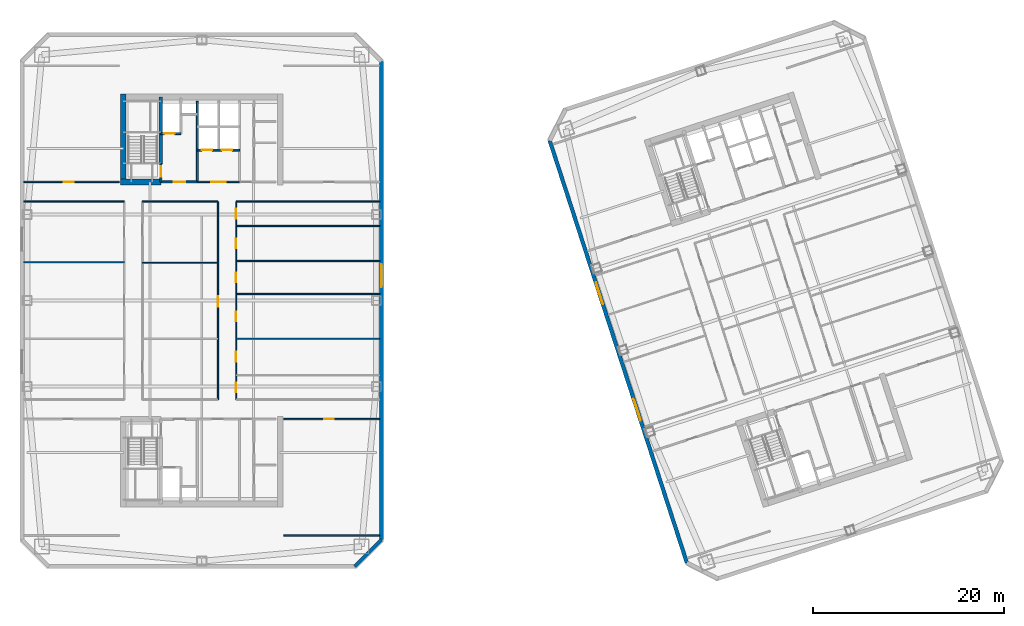
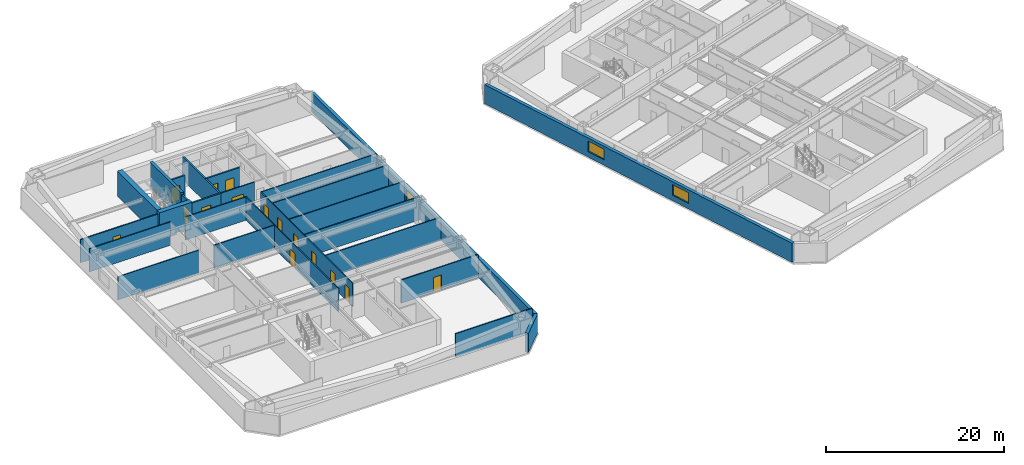
# One storey, part 4 of 11: 26 walls, 15 doors, 3 windows, 18 openings.
"""IFC4 building model written with IfcOpenShell, lengths in metres."""

from ifc_helpers import new_model, si_unit, direction, frame, frame_2d, origin, place, context, subcontext, project, spatial, rectangle, extrude, material, layer, layer_set, type_object, element, fill, save


model = new_model("IFC4")

# Units and contexts
model_context = context("Model", 3, precision=1e-05, world=origin(), true_north=direction((0.0, 1.0)))
body_context = subcontext(model_context, "Body", "Model", "MODEL_VIEW")
ifc_project = project(units=[si_unit("LENGTHUNIT", "METRE"), si_unit("AREAUNIT", "SQUARE_METRE"), si_unit("VOLUMEUNIT", "CUBIC_METRE"), si_unit("PLANEANGLEUNIT", "RADIAN"), si_unit("MASSUNIT", "GRAM", prefix="KILO")], contexts=[model_context])

# Site, building, storey
site_placement = place(None, origin())
site = spatial("IfcSite", under=ifc_project, at=site_placement, CompositionType="ELEMENT")
building_placement = place(site_placement, origin())
building = spatial("IfcBuilding", under=site, at=building_placement, Name="Qiaolan Cultural Towers", CompositionType="ELEMENT")
storey_placement = place(building_placement, frame((0.0, 0.0, 117.300048828125)))
storey = spatial("IfcBuildingStorey", under=building, at=storey_placement, Name="L30", CompositionType="ELEMENT", Elevation=117.300048828125)

# Walls
ifc_material_1 = material(Name="Concrete C50", Category="concrete")
ifc_layer_1 = layer(ifc_material_1, 0.35009765625)
ifc_layer_set_1 = layer_set([ifc_layer_1], Name="Concrete C50")
wall_type_1 = type_object("IfcWallType", Name="WL-CORE-350", PredefinedType="SHEAR", material=ifc_layer_set_1)
wall_1_placement = place(storey_placement, frame((25.719970703125, 48.300048828125, 0.0), z_axis=(0.0, 0.0, 1.0), x_axis=(0.0, 1.0, 0.0)))
element("IfcWall", 1, at=wall_1_placement, inside=storey, type_object=wall_type_1, Name="L30 T1-CN Stair Core Dividing Web", PredefinedType="SHEAR", context=body_context, shape_type="SweptSolid", body=[
    extrude(rectangle(XDim=6.97998046875, YDim=0.35009765625, at=frame_2d((3.489990234375, 0.0))), origin(), (0.0, 0.0, 1.0), 3.449951171875),
])
ifc_material_2 = material(Name="Concrete C55", Category="concrete")
ifc_layer_2 = layer(ifc_material_2, 0.60009765625)
ifc_layer_set_2 = layer_set([ifc_layer_2], Name="Concrete C55")
wall_type_2 = type_object("IfcWallType", Name="WL-CORE-600", PredefinedType="SHEAR", material=ifc_layer_set_2)
wall_2_placement = place(storey_placement, frame((21.800048828125, 46.10009765625, 0.0), z_axis=(0.0, 0.0, 1.0), x_axis=(0.0, 1.0, 0.0)))
element("IfcWall", 2, at=wall_2_placement, inside=storey, type_object=wall_type_2, Name="L30 T1-CN West Core Shear Wall", PredefinedType="SHEAR", context=body_context, shape_type="SweptSolid", body=[
    extrude(rectangle(XDim=9.47998046875, YDim=0.60009765625, at=frame_2d((4.739990234375, 0.0))), origin(), (0.0, 0.0, 1.0), 3.449951171875),
])
wall_3_placement = place(storey_placement, frame((21.5, 46.39990234375, 0.0), z_axis=(0.0, 0.0, 1.0), x_axis=(1.0, 0.0, 0.0)))
element("IfcWall", 3, at=wall_3_placement, inside=storey, type_object=wall_type_2, Name="L30 T1-CN Stair Front Shear Wall", PredefinedType="SHEAR", context=body_context, shape_type="SweptSolid", body=[
    extrude(rectangle(XDim=4.219970703125, YDim=0.60009765625, at=frame_2d((2.10986328125, 0.0))), origin(), (0.0, 0.0, 1.0), 3.449951171875),
])

# Wall, opening, window
ifc_material_3 = material(Name="Precast Concrete C50 Honed Stone Pier", Category="masonry")
ifc_layer_3 = layer(ifc_material_3, 0.39990234375)
ifc_layer_set_3 = layer_set([ifc_layer_3], Name="Precast Concrete C50 Honed Stone Pier")
wall_type_3 = type_object("IfcWallType", Name="WL-EXT-PIER-400", PredefinedType="SOLIDWALL", material=ifc_layer_set_3)
wall_4_placement = place(storey_placement, frame((48.800048828125, 59.0, 0.0), z_axis=(0.0, 0.0, 1.0), x_axis=(0.0, -1.0, 0.0)))
wall_4 = element("IfcWall", 4, at=wall_4_placement, inside=storey, type_object=wall_type_3, Name="L30 West Tower Precast Pier Facade Wall F5", PredefinedType="SOLIDWALL", context=body_context, shape_type="SweptSolid", body=[
    extrude(rectangle(XDim=50.0, YDim=0.39990234375, at=frame_2d((25.0, 0.0))), origin(), (0.0, 0.0, 1.0), 2.60986328125),
])
opening_1_placement = place(wall_4_placement, frame((21.199951171875, 0.0, 0.75)))
opening_1 = element("IfcOpeningElement", 5, at=opening_1_placement, cuts=wall_4, Name="Opening W-02", PredefinedType="OPENING", context=body_context, shape_type="SweptSolid", body=[
    extrude(rectangle(XDim=2.39990234375, YDim=1.4599609375, at=frame_2d((1.199951171875, 0.72998046875))), frame((0.0, 0.2099609375, 0.0), z_axis=(0.0, -1.0, 0.0), x_axis=(1.0, 0.0, 0.0)), (0.0, 0.0, 1.0), 0.419921875),
])
ifc_material_4 = material(Name="Thermally Broken Aluminium Triple Low-E Glazing", Category="aluminium")
window_type = type_object("IfcWindowType", Name="WN-CHIC-2400", PartitioningType="SINGLE_PANEL", PredefinedType="WINDOW", material=ifc_material_4)
window_1_placement = place(opening_1_placement, origin())
window_1 = element("IfcWindow", 6, at=window_1_placement, inside=storey, type_object=window_type, Name="L30 T1 E Chicago Bay Window 1", OverallHeight=1.4599609375, OverallWidth=2.39990234375, PartitioningType="TRIPLE_PANEL_VERTICAL", PredefinedType="WINDOW", context=body_context, shape_type="SweptSolid", body=[
    extrude(rectangle(XDim=2.39990234375, YDim=1.4599609375, at=frame_2d((1.199951171875, 0.72998046875))), frame((0.0, 0.030029296875, 0.0), z_axis=(0.0, -1.0, 0.0), x_axis=(1.0, 0.0, 0.0)), (0.0, 0.0, 1.0), 0.06005859375),
])
fill(opening_1, window_1)

# Wall
wall_5_placement = place(storey_placement, frame((48.800048828125, 9.0, 0.0), z_axis=(0.0, 0.0, 1.0), x_axis=(-0.707106781187, -0.707106781187, 0.0)))
element("IfcWall", 7, at=wall_5_placement, inside=storey, type_object=wall_type_3, Name="L30 West Tower Precast Pier Facade Wall F6", PredefinedType="SOLIDWALL", context=body_context, shape_type="SweptSolid", body=[
    extrude(rectangle(XDim=3.9599609375, YDim=0.39990234375, at=frame_2d((1.97998046875, 0.0))), origin(), (0.0, 0.0, 1.0), 2.60986328125),
])

# Wall, openings, windows
wall_6_placement = place(storey_placement, frame((80.7158203125, 6.589599609375, 0.0), z_axis=(0.0, 0.0, 1.0), x_axis=(-0.309017542002, 0.95105633836, 0.0)))
wall_6 = element("IfcWall", 8, at=wall_6_placement, inside=storey, type_object=wall_type_3, Name="L30 East Tower Precast Pier Facade Wall F1", PredefinedType="SOLIDWALL", context=body_context, shape_type="SweptSolid", body=[
    extrude(rectangle(XDim=46.39990234375, YDim=0.39990234375, at=frame_2d((23.199951171875, 0.0))), origin(), (0.0, 0.0, 1.0), 2.60986328125),
])
opening_2_placement = place(wall_6_placement, frame((15.60009765625, 0.0, 0.75)))
opening_2 = element("IfcOpeningElement", 9, at=opening_2_placement, cuts=wall_6, Name="Opening W-02", PredefinedType="OPENING", context=body_context, shape_type="SweptSolid", body=[
    extrude(rectangle(XDim=2.39990234375, YDim=1.4599609375, at=frame_2d((1.199951171875, 0.72998046875))), frame((0.0, 0.2099609375, 0.0), z_axis=(0.0, -1.0, 0.0), x_axis=(1.0, 0.0, 0.0)), (0.0, 0.0, 1.0), 0.419921875),
])
opening_3_placement = place(wall_6_placement, frame((28.39990234375, 0.0, 0.75)))
opening_3 = element("IfcOpeningElement", 10, at=opening_3_placement, cuts=wall_6, Name="Opening W-02", PredefinedType="OPENING", context=body_context, shape_type="SweptSolid", body=[
    extrude(rectangle(XDim=2.39990234375, YDim=1.4599609375, at=frame_2d((1.199951171875, 0.72998046875))), frame((0.0, 0.2099609375, 0.0), z_axis=(0.0, -1.0, 0.0), x_axis=(1.0, 0.0, 0.0)), (0.0, 0.0, 1.0), 0.419921875),
])
window_2_placement = place(opening_2_placement, origin())
window_2 = element("IfcWindow", 11, at=window_2_placement, inside=storey, type_object=window_type, Name="L30 T2 W Chicago Bay Window 1", OverallHeight=1.4599609375, OverallWidth=2.39990234375, PartitioningType="TRIPLE_PANEL_VERTICAL", PredefinedType="WINDOW", context=body_context, shape_type="SweptSolid", body=[
    extrude(rectangle(XDim=2.39990234375, YDim=1.4599609375, at=frame_2d((1.199951171875, 0.72998046875))), frame((0.0, 0.030029296875, 0.0), z_axis=(0.0, -1.0, 0.0), x_axis=(1.0, 0.0, 0.0)), (0.0, 0.0, 1.0), 0.06005859375),
])
fill(opening_2, window_2)
window_3_placement = place(opening_3_placement, origin())
window_3 = element("IfcWindow", 12, at=window_3_placement, inside=storey, type_object=window_type, Name="L30 T2 W Chicago Bay Window 2", OverallHeight=1.4599609375, OverallWidth=2.39990234375, PartitioningType="TRIPLE_PANEL_VERTICAL", PredefinedType="WINDOW", context=body_context, shape_type="SweptSolid", body=[
    extrude(rectangle(XDim=2.39990234375, YDim=1.4599609375, at=frame_2d((1.199951171875, 0.72998046875))), frame((0.0, 0.030029296875, 0.0), z_axis=(0.0, -1.0, 0.0), x_axis=(1.0, 0.0, 0.0)), (0.0, 0.0, 1.0), 0.06005859375),
])
fill(opening_3, window_3)

# Wall, opening, door
ifc_material_5 = material(Name="Concrete C35 Fire Wall", Category="concrete")
ifc_layer_4 = layer(ifc_material_5, 0.199951171875)
ifc_layer_set_4 = layer_set([ifc_layer_4], Name="Concrete C35 Fire Wall")
wall_type_4 = type_object("IfcWallType", Name="WL-FIRE-200", PredefinedType="PARTITIONING", material=ifc_layer_set_4)
wall_7_placement = place(storey_placement, frame((25.719970703125, 46.39990234375, 0.0), z_axis=(0.0, 0.0, 1.0), x_axis=(0.0, 1.0, 0.0)))
wall_7 = element("IfcWall", 13, at=wall_7_placement, inside=storey, type_object=wall_type_4, Name="L30 T1-CN Smokeproof Stair Entry Wall", PredefinedType="PARTITIONING", context=body_context, shape_type="SweptSolid", body=[
    extrude(rectangle(XDim=1.900146484375, YDim=0.199951171875, at=frame_2d((0.9501953125, 0.0))), origin(), (0.0, 0.0, 1.0), 3.175048828125),
])
opening_4_placement = place(wall_7_placement, frame((0.52001953125, 0.0, 0.0)))
opening_4 = element("IfcOpeningElement", 14, at=opening_4_placement, cuts=wall_7, Name="Opening FD-04", PredefinedType="OPENING", context=body_context, shape_type="SweptSolid", body=[
    extrude(rectangle(XDim=1.10009765625, YDim=2.050048828125, at=frame_2d((0.550048828125, 1.02490234375))), frame((0.0, 0.10986328125, 0.0), z_axis=(0.0, -1.0, 0.0), x_axis=(1.0, 0.0, 0.0)), (0.0, 0.0, 1.0), 0.219970703125),
])
ifc_material_6 = material(Name="Galvanized Steel Command Fire Door", Category="steel")
door_type_1 = type_object("IfcDoorType", Name="DR-FD90-1100", OperationType="NOTDEFINED", PredefinedType="DOOR", material=ifc_material_6)
door_1_placement = place(opening_4_placement, origin())
door_1 = element("IfcDoor", 15, at=door_1_placement, inside=storey, type_object=door_type_1, Name="L30 ST-W2 Smokeproof Stair Fire Door", OperationType="SINGLE_SWING_LEFT", OverallHeight=2.050048828125, OverallWidth=1.10009765625, PredefinedType="DOOR", context=body_context, shape_type="SweptSolid", body=[
    extrude(rectangle(XDim=1.10009765625, YDim=2.050048828125, at=frame_2d((0.550048828125, 1.02490234375))), frame((0.0, 0.02490234375, 0.0), z_axis=(0.0, -1.0, 0.0), x_axis=(1.0, 0.0, 0.0)), (0.0, 0.0, 1.0), 0.050048828125),
])
fill(opening_4, door_1)

# Wall
wall_8_placement = place(storey_placement, frame((29.550048828125, 46.39990234375, 0.0), z_axis=(0.0, 0.0, 1.0), x_axis=(0.0, 1.0, 0.0)))
element("IfcWall", 16, at=wall_8_placement, inside=storey, type_object=wall_type_4, Name="L30 T1-CN Firefighting Zone Wall", PredefinedType="PARTITIONING", context=body_context, shape_type="SweptSolid", body=[
    extrude(rectangle(XDim=8.43017578125, YDim=0.199951171875, at=frame_2d((4.215087890625, 0.0))), origin(), (0.0, 0.0, 1.0), 3.175048828125),
])

# Wall, opening, door
wall_9_placement = place(storey_placement, frame((25.719970703125, 46.39990234375, 0.0), z_axis=(0.0, 0.0, 1.0), x_axis=(1.0, 0.0, 0.0)))
wall_9 = element("IfcWall", 17, at=wall_9_placement, inside=storey, type_object=wall_type_4, Name="L30 T1-CN Firefighting Lobby Front Wall", PredefinedType="PARTITIONING", context=body_context, shape_type="SweptSolid", body=[
    extrude(rectangle(XDim=3.830078125, YDim=0.199951171875, at=frame_2d((1.9150390625, 0.0))), origin(), (0.0, 0.0, 1.0), 3.175048828125),
])
opening_5_placement = place(wall_9_placement, frame((1.35009765625, 0.0, 0.0)))
opening_5 = element("IfcOpeningElement", 18, at=opening_5_placement, cuts=wall_9, Name="Opening FD-03", PredefinedType="OPENING", context=body_context, shape_type="SweptSolid", body=[
    extrude(rectangle(XDim=1.199951171875, YDim=2.050048828125, at=frame_2d((0.60009765625, 1.02490234375))), frame((0.0, 0.10986328125, 0.0), z_axis=(0.0, -1.0, 0.0), x_axis=(1.0, 0.0, 0.0)), (0.0, 0.0, 1.0), 0.219970703125),
])
ifc_material_7 = material(Name="Galvanized Steel Smokeproof Lobby Fire Door", Category="steel")
door_type_2 = type_object("IfcDoorType", Name="DR-FD90-1200", OperationType="NOTDEFINED", PredefinedType="DOOR", material=ifc_material_7)
door_2_placement = place(opening_5_placement, origin())
door_2 = element("IfcDoor", 19, at=door_2_placement, inside=storey, type_object=door_type_2, Name="L30 FFL-W2 Firefighting Lobby Fire Door", OperationType="SINGLE_SWING_LEFT", OverallHeight=2.050048828125, OverallWidth=1.199951171875, PredefinedType="DOOR", context=body_context, shape_type="SweptSolid", body=[
    extrude(rectangle(XDim=1.199951171875, YDim=2.050048828125, at=frame_2d((0.60009765625, 1.02490234375))), frame((0.0, 0.02490234375, 0.0), z_axis=(0.0, -1.0, 0.0), x_axis=(1.0, 0.0, 0.0)), (0.0, 0.0, 1.0), 0.050048828125),
])
fill(opening_5, door_2)

wall_10_placement = place(storey_placement, frame((25.719970703125, 51.449951171875, 0.0), z_axis=(0.0, 0.0, 1.0), x_axis=(1.0, 0.0, 0.0)))
wall_10 = element("IfcWall", 20, at=wall_10_placement, inside=storey, type_object=wall_type_4, Name="L30 T1-CN Firefighting Shaft Front Wall", PredefinedType="PARTITIONING", context=body_context, shape_type="SweptSolid", body=[
    extrude(rectangle(XDim=2.10009765625, YDim=0.199951171875, at=frame_2d((1.050048828125, 0.0))), origin(), (0.0, 0.0, 1.0), 3.175048828125),
])
opening_6_placement = place(wall_10_placement, frame((0.35009765625, 0.0, 0.0)))
opening_6 = element("IfcOpeningElement", 21, at=opening_6_placement, cuts=wall_10, Name="Opening LD-01", PredefinedType="OPENING", context=body_context, shape_type="SweptSolid", body=[
    extrude(rectangle(XDim=1.10009765625, YDim=2.050048828125, at=frame_2d((0.550048828125, 1.02490234375))), frame((0.0, 0.10986328125, 0.0), z_axis=(0.0, -1.0, 0.0), x_axis=(1.0, 0.0, 0.0)), (0.0, 0.0, 1.0), 0.219970703125),
])
ifc_material_8 = material(Name="Brushed Stainless Steel S30408 Centre-Parting Lift Landing Door", Category="steel")
door_type_3 = type_object("IfcDoorType", Name="DR-LIFT-1100", OperationType="NOTDEFINED", PredefinedType="DOOR", material=ifc_material_8)
door_3_placement = place(opening_6_placement, origin())
door_3 = element("IfcDoor", 22, at=door_3_placement, inside=storey, type_object=door_type_3, Name="L30 FFL-W2 Firefighting Lift Landing Door", OperationType="DOUBLE_DOOR_SLIDING", OverallHeight=2.050048828125, OverallWidth=1.10009765625, PredefinedType="DOOR", context=body_context, shape_type="SweptSolid", body=[
    extrude(rectangle(XDim=1.10009765625, YDim=2.050048828125, at=frame_2d((0.550048828125, 1.02490234375))), frame((0.0, 0.02490234375, 0.0), z_axis=(0.0, -1.0, 0.0), x_axis=(1.0, 0.0, 0.0)), (0.0, 0.0, 1.0), 0.050048828125),
])
fill(opening_6, door_3)

# Wall, openings, doors
wall_11_placement = place(storey_placement, frame((29.550048828125, 49.719970703125, 0.0), z_axis=(0.0, 0.0, 1.0), x_axis=(1.0, 0.0, 0.0)))
wall_11 = element("IfcWall", 23, at=wall_11_placement, inside=storey, type_object=wall_type_4, Name="L30 T1-CN Passenger Lift Shaft Front Wall", PredefinedType="PARTITIONING", context=body_context, shape_type="SweptSolid", body=[
    extrude(rectangle(XDim=4.39990234375, YDim=0.199951171875, at=frame_2d((2.199951171875, 0.0))), origin(), (0.0, 0.0, 1.0), 3.175048828125),
])
opening_7_placement = place(wall_11_placement, frame((0.449951171875, 0.0, 0.0)))
opening_7 = element("IfcOpeningElement", 24, at=opening_7_placement, cuts=wall_11, Name="Opening LD-01", PredefinedType="OPENING", context=body_context, shape_type="SweptSolid", body=[
    extrude(rectangle(XDim=1.10009765625, YDim=2.050048828125, at=frame_2d((0.550048828125, 1.02490234375))), frame((0.0, 0.10986328125, 0.0), z_axis=(0.0, -1.0, 0.0), x_axis=(1.0, 0.0, 0.0)), (0.0, 0.0, 1.0), 0.219970703125),
])
opening_8_placement = place(wall_11_placement, frame((2.550048828125, 0.0, 0.0)))
opening_8 = element("IfcOpeningElement", 25, at=opening_8_placement, cuts=wall_11, Name="Opening LD-01", PredefinedType="OPENING", context=body_context, shape_type="SweptSolid", body=[
    extrude(rectangle(XDim=1.10009765625, YDim=2.050048828125, at=frame_2d((0.550048828125, 1.02490234375))), frame((0.0, 0.10986328125, 0.0), z_axis=(0.0, -1.0, 0.0), x_axis=(1.0, 0.0, 0.0)), (0.0, 0.0, 1.0), 0.219970703125),
])
door_4_placement = place(opening_7_placement, origin())
door_4 = element("IfcDoor", 26, at=door_4_placement, inside=storey, type_object=door_type_3, Name="L30 Passenger Lift 1 Landing Door", OperationType="DOUBLE_DOOR_SLIDING", OverallHeight=2.050048828125, OverallWidth=1.10009765625, PredefinedType="DOOR", context=body_context, shape_type="SweptSolid", body=[
    extrude(rectangle(XDim=1.10009765625, YDim=2.050048828125, at=frame_2d((0.550048828125, 1.02490234375))), frame((0.0, 0.02490234375, 0.0), z_axis=(0.0, -1.0, 0.0), x_axis=(1.0, 0.0, 0.0)), (0.0, 0.0, 1.0), 0.050048828125),
])
fill(opening_7, door_4)
door_5_placement = place(opening_8_placement, origin())
door_5 = element("IfcDoor", 27, at=door_5_placement, inside=storey, type_object=door_type_3, Name="L30 Passenger Lift 2 Landing Door", OperationType="DOUBLE_DOOR_SLIDING", OverallHeight=2.050048828125, OverallWidth=1.10009765625, PredefinedType="DOOR", context=body_context, shape_type="SweptSolid", body=[
    extrude(rectangle(XDim=1.10009765625, YDim=2.050048828125, at=frame_2d((0.550048828125, 1.02490234375))), frame((0.0, 0.02490234375, 0.0), z_axis=(0.0, -1.0, 0.0), x_axis=(1.0, 0.0, 0.0)), (0.0, 0.0, 1.0), 0.050048828125),
])
fill(opening_8, door_5)

# Walls
ifc_material_9 = material(Name="Gypsum Stud Acoustic Partition", Category="gypsum")
ifc_layer_5 = layer(ifc_material_9, 0.1201171875)
ifc_layer_set_5 = layer_set([ifc_layer_5], Name="Gypsum Stud Acoustic Partition")
wall_type_5 = type_object("IfcWallType", Name="WL-PART-120", PredefinedType="PARTITIONING", material=ifc_layer_set_5)
wall_12_placement = place(storey_placement, frame((11.39990234375, 44.35009765625, 0.0), z_axis=(0.0, 0.0, 1.0), x_axis=(1.0, 0.0, 0.0)))
element("IfcWall", 28, at=wall_12_placement, inside=storey, type_object=wall_type_5, Name="L30 T1 Interior Wall", PredefinedType="PARTITIONING", context=body_context, shape_type="SweptSolid", body=[
    extrude(rectangle(XDim=10.5, YDim=0.1201171875, at=frame_2d((5.25, 0.0))), origin(), (0.0, 0.0, 1.0), 3.175048828125),
])
wall_13_placement = place(storey_placement, frame((23.800048828125, 44.35009765625, 0.0), z_axis=(0.0, 0.0, 1.0), x_axis=(1.0, 0.0, 0.0)))
element("IfcWall", 29, at=wall_13_placement, inside=storey, type_object=wall_type_5, Name="L30 T1 Interior Wall", PredefinedType="PARTITIONING", context=body_context, shape_type="SweptSolid", body=[
    extrude(rectangle(XDim=7.89990234375, YDim=0.1201171875, at=frame_2d((3.949951171875, 0.0))), origin(), (0.0, 0.0, 1.0), 3.175048828125),
])
wall_14_placement = place(storey_placement, frame((33.60009765625, 44.35009765625, 0.0), z_axis=(0.0, 0.0, 1.0), x_axis=(1.0, 0.0, 0.0)))
element("IfcWall", 30, at=wall_14_placement, inside=storey, type_object=wall_type_5, Name="L30 T1 Interior Wall", PredefinedType="PARTITIONING", context=body_context, shape_type="SweptSolid", body=[
    extrude(rectangle(XDim=15.0, YDim=0.1201171875, at=frame_2d((7.5, 0.0))), origin(), (0.0, 0.0, 1.0), 3.175048828125),
])

# Wall, opening, door
wall_15_placement = place(storey_placement, frame((31.699951171875, 23.64990234375, 0.0), z_axis=(0.0, 0.0, 1.0), x_axis=(0.0, 1.0, 0.0)))
wall_15 = element("IfcWall", 31, at=wall_15_placement, inside=storey, type_object=wall_type_5, Name="L30 T1 Interior Wall", PredefinedType="PARTITIONING", context=body_context, shape_type="SweptSolid", body=[
    extrude(rectangle(XDim=20.7001953125, YDim=0.1201171875, at=frame_2d((10.35009765625, 0.0))), origin(), (0.0, 0.0, 1.0), 3.175048828125),
])
opening_9_placement = place(wall_15_placement, frame((9.69580078125, 0.0, 0.0)))
opening_9 = element("IfcOpeningElement", 32, at=opening_9_placement, cuts=wall_15, Name="Opening ID-03", PredefinedType="OPENING", context=body_context, shape_type="SweptSolid", body=[
    extrude(rectangle(XDim=1.10009765625, YDim=2.050048828125, at=frame_2d((0.550048828125, 1.02490234375))), frame((0.0, 0.070068359375, 0.0), z_axis=(0.0, -1.0, 0.0), x_axis=(1.0, 0.0, 0.0)), (0.0, 0.0, 1.0), 0.14013671875),
])
ifc_material_10 = material(Name="Oak Veneer Solid-Core Boardroom Door", Category="timber")
door_type_4 = type_object("IfcDoorType", Name="DR-INT-1100", OperationType="NOTDEFINED", PredefinedType="DOOR", material=ifc_material_10)
door_6_placement = place(opening_9_placement, origin())
door_6 = element("IfcDoor", 33, at=door_6_placement, inside=storey, type_object=door_type_4, Name="L30 T1 Central Study Salon Door", OperationType="SINGLE_SWING_LEFT", OverallHeight=2.050048828125, OverallWidth=1.10009765625, PredefinedType="DOOR", context=body_context, shape_type="SweptSolid", body=[
    extrude(rectangle(XDim=1.10009765625, YDim=2.050048828125, at=frame_2d((0.550048828125, 1.02490234375))), frame((0.0, 0.02490234375, 0.0), z_axis=(0.0, -1.0, 0.0), x_axis=(1.0, 0.0, 0.0)), (0.0, 0.0, 1.0), 0.050048828125),
])
fill(opening_9, door_6)

# Wall, openings, doors
wall_16_placement = place(storey_placement, frame((33.60009765625, 23.64990234375, 0.0), z_axis=(0.0, 0.0, 1.0), x_axis=(0.0, 1.0, 0.0)))
wall_16 = element("IfcWall", 34, at=wall_16_placement, inside=storey, type_object=wall_type_5, Name="L30 T1 Interior Wall", PredefinedType="PARTITIONING", context=body_context, shape_type="SweptSolid", body=[
    extrude(rectangle(XDim=20.7001953125, YDim=0.1201171875, at=frame_2d((10.35009765625, 0.0))), origin(), (0.0, 0.0, 1.0), 3.175048828125),
])
opening_10_placement = place(wall_16_placement, frame((0.77490234375, 0.0, 0.0)))
opening_10 = element("IfcOpeningElement", 35, at=opening_10_placement, cuts=wall_16, Name="Opening ID-04", PredefinedType="OPENING", context=body_context, shape_type="SweptSolid", body=[
    extrude(rectangle(XDim=1.0, YDim=2.050048828125, at=frame_2d((0.5, 1.02490234375))), frame((0.0, 0.070068359375, 0.0), z_axis=(0.0, -1.0, 0.0), x_axis=(1.0, 0.0, 0.0)), (0.0, 0.0, 1.0), 0.14013671875),
])
opening_11_placement = place(wall_16_placement, frame((3.949951171875, 0.0, 0.0)))
opening_11 = element("IfcOpeningElement", 36, at=opening_11_placement, cuts=wall_16, Name="Opening ID-07", PredefinedType="OPENING", context=body_context, shape_type="SweptSolid", body=[
    extrude(rectangle(XDim=1.050048828125, YDim=2.050048828125, at=frame_2d((0.52490234375, 1.02490234375))), frame((0.0, 0.070068359375, 0.0), z_axis=(0.0, -1.0, 0.0), x_axis=(1.0, 0.0, 0.0)), (0.0, 0.0, 1.0), 0.14013671875),
])
opening_12_placement = place(wall_16_placement, frame((8.18994140625, 0.0, 0.0)))
opening_12 = element("IfcOpeningElement", 37, at=opening_12_placement, cuts=wall_16, Name="Opening ID-04", PredefinedType="OPENING", context=body_context, shape_type="SweptSolid", body=[
    extrude(rectangle(XDim=1.0, YDim=2.050048828125, at=frame_2d((0.5, 1.02490234375))), frame((0.0, 0.070068359375, 0.0), z_axis=(0.0, -1.0, 0.0), x_axis=(1.0, 0.0, 0.0)), (0.0, 0.0, 1.0), 0.14013671875),
])
opening_13_placement = place(wall_16_placement, frame((12.256591796875, 0.0, 0.0)))
opening_13 = element("IfcOpeningElement", 38, at=opening_13_placement, cuts=wall_16, Name="Opening ID-04", PredefinedType="OPENING", context=body_context, shape_type="SweptSolid", body=[
    extrude(rectangle(XDim=1.0, YDim=2.050048828125, at=frame_2d((0.5, 1.02490234375))), frame((0.0, 0.070068359375, 0.0), z_axis=(0.0, -1.0, 0.0), x_axis=(1.0, 0.0, 0.0)), (0.0, 0.0, 1.0), 0.14013671875),
])
opening_14_placement = place(wall_16_placement, frame((15.81640625, 0.0, 0.0)))
opening_14 = element("IfcOpeningElement", 39, at=opening_14_placement, cuts=wall_16, Name="Opening ID-04", PredefinedType="OPENING", context=body_context, shape_type="SweptSolid", body=[
    extrude(rectangle(XDim=1.0, YDim=2.050048828125, at=frame_2d((0.5, 1.02490234375))), frame((0.0, 0.070068359375, 0.0), z_axis=(0.0, -1.0, 0.0), x_axis=(1.0, 0.0, 0.0)), (0.0, 0.0, 1.0), 0.14013671875),
])
opening_15_placement = place(wall_16_placement, frame((18.925048828125, 0.0, 0.0)))
opening_15 = element("IfcOpeningElement", 40, at=opening_15_placement, cuts=wall_16, Name="Opening ID-04", PredefinedType="OPENING", context=body_context, shape_type="SweptSolid", body=[
    extrude(rectangle(XDim=1.0, YDim=2.050048828125, at=frame_2d((0.5, 1.02490234375))), frame((0.0, 0.070068359375, 0.0), z_axis=(0.0, -1.0, 0.0), x_axis=(1.0, 0.0, 0.0)), (0.0, 0.0, 1.0), 0.14013671875),
])
ifc_material_11 = material(Name="Oak Veneer Acoustic Office Door", Category="timber")
door_type_5 = type_object("IfcDoorType", Name="DR-INT-1000", OperationType="NOTDEFINED", PredefinedType="DOOR", material=ifc_material_11)
door_7_placement = place(opening_10_placement, origin())
door_7 = element("IfcDoor", 41, at=door_7_placement, inside=storey, type_object=door_type_5, Name="L30 T1 Symposium Room Door", OperationType="SINGLE_SWING_RIGHT", OverallHeight=2.050048828125, OverallWidth=1.0, PredefinedType="DOOR", context=body_context, shape_type="SweptSolid", body=[
    extrude(rectangle(XDim=1.0, YDim=2.050048828125, at=frame_2d((0.5, 1.02490234375))), frame((0.0, 0.02490234375, 0.0), z_axis=(0.0, -1.0, 0.0), x_axis=(1.0, 0.0, 0.0)), (0.0, 0.0, 1.0), 0.050048828125),
])
fill(opening_10, door_7)
door_8_placement = place(opening_12_placement, origin())
door_8 = element("IfcDoor", 42, at=door_8_placement, inside=storey, type_object=door_type_5, Name="L30 T1 Symposium Room Door", OperationType="SINGLE_SWING_RIGHT", OverallHeight=2.050048828125, OverallWidth=1.0, PredefinedType="DOOR", context=body_context, shape_type="SweptSolid", body=[
    extrude(rectangle(XDim=1.0, YDim=2.050048828125, at=frame_2d((0.5, 1.02490234375))), frame((0.0, 0.02490234375, 0.0), z_axis=(0.0, -1.0, 0.0), x_axis=(1.0, 0.0, 0.0)), (0.0, 0.0, 1.0), 0.050048828125),
])
fill(opening_12, door_8)
door_9_placement = place(opening_13_placement, origin())
door_9 = element("IfcDoor", 43, at=door_9_placement, inside=storey, type_object=door_type_5, Name="L30 T1 Symposium Room Door", OperationType="SINGLE_SWING_LEFT", OverallHeight=2.050048828125, OverallWidth=1.0, PredefinedType="DOOR", context=body_context, shape_type="SweptSolid", body=[
    extrude(rectangle(XDim=1.0, YDim=2.050048828125, at=frame_2d((0.5, 1.02490234375))), frame((0.0, 0.02490234375, 0.0), z_axis=(0.0, -1.0, 0.0), x_axis=(1.0, 0.0, 0.0)), (0.0, 0.0, 1.0), 0.050048828125),
])
fill(opening_13, door_9)
door_10_placement = place(opening_14_placement, origin())
door_10 = element("IfcDoor", 44, at=door_10_placement, inside=storey, type_object=door_type_5, Name="L30 T1 Nursing & Wellness Room Door", OperationType="SINGLE_SWING_RIGHT", OverallHeight=2.050048828125, OverallWidth=1.0, PredefinedType="DOOR", context=body_context, shape_type="SweptSolid", body=[
    extrude(rectangle(XDim=1.0, YDim=2.050048828125, at=frame_2d((0.5, 1.02490234375))), frame((0.0, 0.02490234375, 0.0), z_axis=(0.0, -1.0, 0.0), x_axis=(1.0, 0.0, 0.0)), (0.0, 0.0, 1.0), 0.050048828125),
])
fill(opening_14, door_10)
door_11_placement = place(opening_15_placement, origin())
door_11 = element("IfcDoor", 45, at=door_11_placement, inside=storey, type_object=door_type_5, Name="L30 T1 Reading Lounge Door", OperationType="SINGLE_SWING_LEFT", OverallHeight=2.050048828125, OverallWidth=1.0, PredefinedType="DOOR", context=body_context, shape_type="SweptSolid", body=[
    extrude(rectangle(XDim=1.0, YDim=2.050048828125, at=frame_2d((0.5, 1.02490234375))), frame((0.0, 0.02490234375, 0.0), z_axis=(0.0, -1.0, 0.0), x_axis=(1.0, 0.0, 0.0)), (0.0, 0.0, 1.0), 0.050048828125),
])
fill(opening_15, door_11)
ifc_material_12 = material(Name="Oak Veneer Consultation Door", Category="timber")
door_type_6 = type_object("IfcDoorType", Name="DR-INT-1050", OperationType="NOTDEFINED", PredefinedType="DOOR", material=ifc_material_12)
door_12_placement = place(opening_11_placement, origin())
door_12 = element("IfcDoor", 46, at=door_12_placement, inside=storey, type_object=door_type_6, Name="L30 T1 Symposium Room Door", OperationType="SINGLE_SWING_LEFT", OverallHeight=2.050048828125, OverallWidth=1.050048828125, PredefinedType="DOOR", context=body_context, shape_type="SweptSolid", body=[
    extrude(rectangle(XDim=1.050048828125, YDim=2.050048828125, at=frame_2d((0.52490234375, 1.02490234375))), frame((0.0, 0.02490234375, 0.0), z_axis=(0.0, -1.0, 0.0), x_axis=(1.0, 0.0, 0.0)), (0.0, 0.0, 1.0), 0.050048828125),
])
fill(opening_11, door_12)

# Walls
wall_17_placement = place(storey_placement, frame((23.800048828125, 37.966064453125, 0.0), z_axis=(0.0, 0.0, 1.0), x_axis=(1.0, 0.0, 0.0)))
element("IfcWall", 47, at=wall_17_placement, inside=storey, type_object=wall_type_5, Name="L30 T1 Interior Wall", PredefinedType="PARTITIONING", context=body_context, shape_type="SweptSolid", body=[
    extrude(rectangle(XDim=7.89990234375, YDim=0.1201171875, at=frame_2d((3.949951171875, 0.0))), origin(), (0.0, 0.0, 1.0), 3.175048828125),
])
wall_18_placement = place(storey_placement, frame((11.39990234375, 38.0, 0.0), z_axis=(0.0, 0.0, 1.0), x_axis=(1.0, 0.0, 0.0)))
element("IfcWall", 48, at=wall_18_placement, inside=storey, type_object=wall_type_5, Name="L30 T1 Interior Wall", PredefinedType="PARTITIONING", context=body_context, shape_type="SweptSolid", body=[
    extrude(rectangle(XDim=10.5, YDim=0.1201171875, at=frame_2d((5.25, 0.0))), origin(), (0.0, 0.0, 1.0), 3.175048828125),
])
for number, where, z_axis, x_axis, name in (
    (49, (33.60009765625, 30.0, 0.0), (0.0, 0.0, 1.0), (1.0, 0.0, 0.0), "L30 T1 Interior Wall"),
    (50, (33.60009765625, 34.679931640625, 0.0), (0.0, 0.0, 1.0), (1.0, 0.0, 0.0), "L30 T1 Interior Wall"),
    (51, (33.60009765625, 38.133056640625, 0.0), (0.0, 0.0, 1.0), (1.0, 0.0, 0.0), "L30 T1 Interior Wall"),
    (52, (33.60009765625, 41.800048828125, 0.0), (0.0, 0.0, 1.0), (1.0, 0.0, 0.0), "L30 T1 Interior Wall"),
):
    element("IfcWall", number, at=place(storey_placement, frame(where, z_axis=z_axis, x_axis=x_axis)), inside=storey, type_object=wall_type_5, Name=name, PredefinedType="PARTITIONING", context=body_context, shape_type="SweptSolid", body=[
        extrude(rectangle(XDim=15.0, YDim=0.1201171875, at=frame_2d((7.5, 0.0))), origin(), (0.0, 0.0, 1.0), 3.175048828125),
    ])

# Wall, opening, door
ifc_material_13 = material(Name="Autoclaved Aerated Concrete Block B06", Category="concrete")
ifc_layer_6 = layer(ifc_material_13, 0.14990234375)
ifc_layer_set_6 = layer_set([ifc_layer_6], Name="Autoclaved Aerated Concrete Block B06")
wall_type_6 = type_object("IfcWallType", Name="WL-PART-150", PredefinedType="PARTITIONING", material=ifc_layer_set_6)
wall_19_placement = place(storey_placement, frame((29.550048828125, 46.39990234375, 0.0), z_axis=(0.0, 0.0, 1.0), x_axis=(1.0, 0.0, 0.0)))
wall_19 = element("IfcWall", 53, at=wall_19_placement, inside=storey, type_object=wall_type_6, Name="L30 T1-CN Passenger Lift Lobby Front Wall", PredefinedType="PARTITIONING", context=body_context, shape_type="SweptSolid", body=[
    extrude(rectangle(XDim=4.39990234375, YDim=0.14990234375, at=frame_2d((2.199951171875, 0.0))), origin(), (0.0, 0.0, 1.0), 3.175048828125),
])
opening_16_placement = place(wall_19_placement, frame((1.449951171875, 0.0, 0.0)))
opening_16 = element("IfcOpeningElement", 54, at=opening_16_placement, cuts=wall_19, Name="Opening FD-05", PredefinedType="OPENING", context=body_context, shape_type="SweptSolid", body=[
    extrude(rectangle(XDim=1.5, YDim=2.050048828125, at=frame_2d((0.75, 1.02490234375))), frame((0.0, 0.0849609375, 0.0), z_axis=(0.0, -1.0, 0.0), x_axis=(1.0, 0.0, 0.0)), (0.0, 0.0, 1.0), 0.169921875),
])
ifc_material_14 = material(Name="Painted Steel Lift Lobby Fire Door", Category="steel")
door_type_7 = type_object("IfcDoorType", Name="DR-FD60-1500", OperationType="NOTDEFINED", PredefinedType="DOOR", material=ifc_material_14)
door_13_placement = place(opening_16_placement, origin())
door_13 = element("IfcDoor", 55, at=door_13_placement, inside=storey, type_object=door_type_7, Name="L30 Passenger Lift Lobby Entrance", OperationType="SINGLE_SWING_LEFT", OverallHeight=2.050048828125, OverallWidth=1.5, PredefinedType="DOOR", context=body_context, shape_type="SweptSolid", body=[
    extrude(rectangle(XDim=1.5, YDim=2.050048828125, at=frame_2d((0.75, 1.02490234375))), frame((0.0, 0.02490234375, 0.0), z_axis=(0.0, -1.0, 0.0), x_axis=(1.0, 0.0, 0.0)), (0.0, 0.0, 1.0), 0.050048828125),
])
fill(opening_16, door_13)

# Wall
wall_20_placement = place(storey_placement, frame((38.60009765625, 9.449951171875, 0.0), z_axis=(0.0, 0.0, 1.0), x_axis=(1.0, 0.0, 0.0)))
element("IfcWall", 56, at=wall_20_placement, inside=storey, type_object=wall_type_6, Name="L30 T1 Flank Wall FLK-SE", PredefinedType="PARTITIONING", context=body_context, shape_type="SweptSolid", body=[
    extrude(rectangle(XDim=10.0, YDim=0.14990234375, at=frame_2d((5.0, 0.0))), origin(), (0.0, 0.0, 1.0), 3.175048828125),
])

# Wall, opening, door
wall_21_placement = place(storey_placement, frame((38.60009765625, 21.60009765625, 0.0), z_axis=(0.0, 0.0, 1.0), x_axis=(1.0, 0.0, 0.0)))
wall_21 = element("IfcWall", 57, at=wall_21_placement, inside=storey, type_object=wall_type_6, Name="L30 T1 Flank Front FLK-SE", PredefinedType="PARTITIONING", context=body_context, shape_type="SweptSolid", body=[
    extrude(rectangle(XDim=10.0, YDim=0.14990234375, at=frame_2d((5.0, 0.0))), origin(), (0.0, 0.0, 1.0), 3.175048828125),
])
opening_17_placement = place(wall_21_placement, frame((4.199951171875, 0.0, 0.0)))
opening_17 = element("IfcOpeningElement", 58, at=opening_17_placement, cuts=wall_21, Name="Opening ID-04", PredefinedType="OPENING", context=body_context, shape_type="SweptSolid", body=[
    extrude(rectangle(XDim=1.0, YDim=2.050048828125, at=frame_2d((0.5, 1.02490234375))), frame((0.0, 0.0849609375, 0.0), z_axis=(0.0, -1.0, 0.0), x_axis=(1.0, 0.0, 0.0)), (0.0, 0.0, 1.0), 0.169921875),
])
door_14_placement = place(opening_17_placement, origin())
door_14 = element("IfcDoor", 59, at=door_14_placement, inside=storey, type_object=door_type_5, Name="L30 T1 Corner Studio Door", OperationType="SINGLE_SWING_LEFT", OverallHeight=2.050048828125, OverallWidth=1.0, PredefinedType="DOOR", context=body_context, shape_type="SweptSolid", body=[
    extrude(rectangle(XDim=1.0, YDim=2.050048828125, at=frame_2d((0.5, 1.02490234375))), frame((0.0, 0.02490234375, 0.0), z_axis=(0.0, -1.0, 0.0), x_axis=(1.0, 0.0, 0.0)), (0.0, 0.0, 1.0), 0.050048828125),
])
fill(opening_17, door_14)

wall_22_placement = place(storey_placement, frame((11.39990234375, 46.39990234375, 0.0), z_axis=(0.0, 0.0, 1.0), x_axis=(1.0, 0.0, 0.0)))
wall_22 = element("IfcWall", 60, at=wall_22_placement, inside=storey, type_object=wall_type_6, Name="L30 T1 Flank Front FLK-NW", PredefinedType="PARTITIONING", context=body_context, shape_type="SweptSolid", body=[
    extrude(rectangle(XDim=10.0, YDim=0.14990234375, at=frame_2d((5.0, 0.0))), origin(), (0.0, 0.0, 1.0), 3.175048828125),
])
opening_18_placement = place(wall_22_placement, frame((4.199951171875, 0.0, 0.0)))
opening_18 = element("IfcOpeningElement", 61, at=opening_18_placement, cuts=wall_22, Name="Opening ID-04", PredefinedType="OPENING", context=body_context, shape_type="SweptSolid", body=[
    extrude(rectangle(XDim=1.0, YDim=2.050048828125, at=frame_2d((0.5, 1.02490234375))), frame((0.0, 0.0849609375, 0.0), z_axis=(0.0, -1.0, 0.0), x_axis=(1.0, 0.0, 0.0)), (0.0, 0.0, 1.0), 0.169921875),
])
door_15_placement = place(opening_18_placement, origin())
door_15 = element("IfcDoor", 62, at=door_15_placement, inside=storey, type_object=door_type_5, Name="L30 T1 Corner Studio Door", OperationType="SINGLE_SWING_LEFT", OverallHeight=2.050048828125, OverallWidth=1.0, PredefinedType="DOOR", context=body_context, shape_type="SweptSolid", body=[
    extrude(rectangle(XDim=1.0, YDim=2.050048828125, at=frame_2d((0.5, 1.02490234375))), frame((0.0, 0.02490234375, 0.0), z_axis=(0.0, -1.0, 0.0), x_axis=(1.0, 0.0, 0.0)), (0.0, 0.0, 1.0), 0.050048828125),
])
fill(opening_18, door_15)

save(model, "model.ifc")
